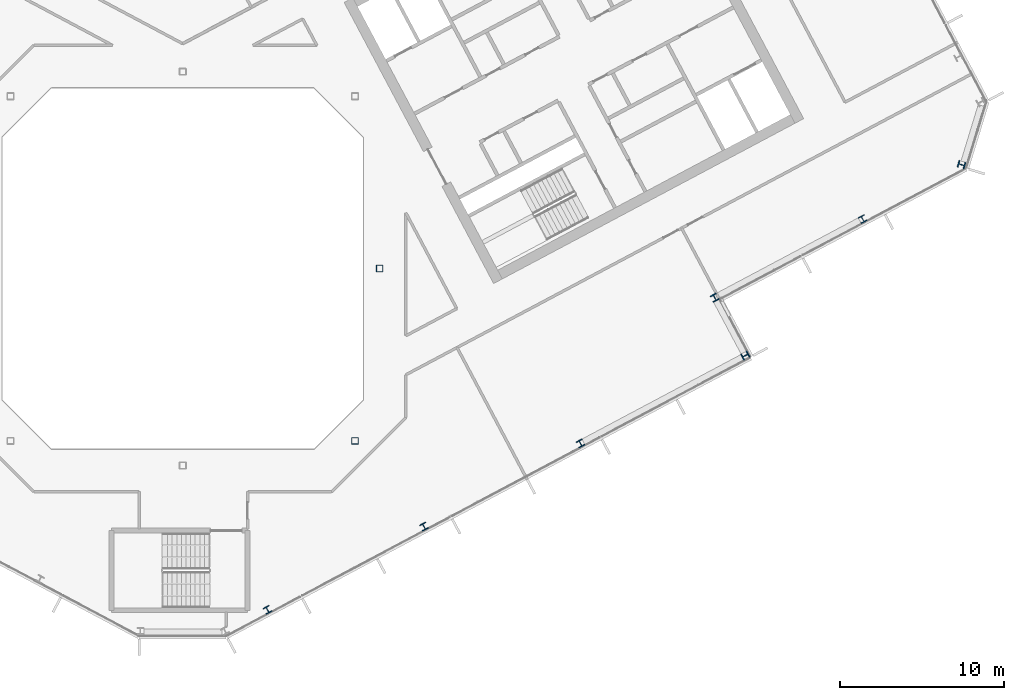
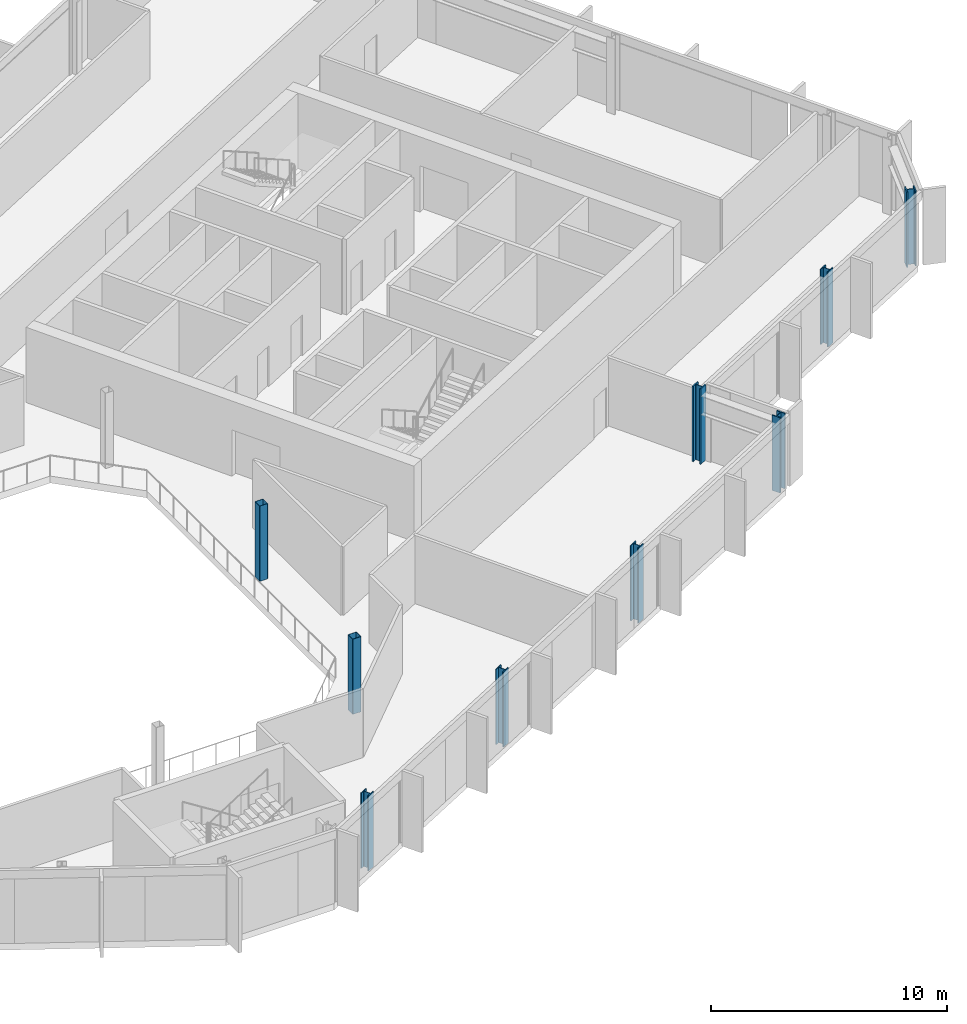
# One storey, part 5 of 26: 9 columns.
"""IFC4 building model written with IfcOpenShell, lengths in metres."""

from ifc_helpers import new_model, si_unit, direction, frame, origin, origin_2d, place, context, subcontext, project, spatial, hollow_rectangle, i_section, extrude, material, material_profile, profile_set, type_object, element, save


model = new_model("IFC4")

# Units and contexts
model_context = context("Model", 3, precision=1e-05, world=origin(), true_north=direction((0.0, 1.0)))
body_context = subcontext(model_context, "Body", "Model", "MODEL_VIEW")
ifc_project = project(units=[si_unit("LENGTHUNIT", "METRE"), si_unit("AREAUNIT", "SQUARE_METRE"), si_unit("VOLUMEUNIT", "CUBIC_METRE"), si_unit("PLANEANGLEUNIT", "RADIAN"), si_unit("MASSUNIT", "GRAM", prefix="KILO")], contexts=[model_context])

# Site, building, storey
site_placement = place(None, origin())
site = spatial("IfcSite", under=ifc_project, at=site_placement, CompositionType="ELEMENT")
building_placement = place(site_placement, origin())
building = spatial("IfcBuilding", under=site, at=building_placement, Name="Cormorant Relay Tower", CompositionType="ELEMENT")
storey_placement = place(building_placement, frame((0.0, 0.0, 220.800048828125)))
storey = spatial("IfcBuildingStorey", under=building, at=storey_placement, Name="L48", CompositionType="ELEMENT", Elevation=220.800048828125)

# Columns
ifc_material_1 = material(Name="Steel ASTM A500 Grade C (Fy 345 MPa)", Category="steel")
ifc_material_profile_1 = material_profile(ifc_material_1, hollow_rectangle(XDim=0.406494140625, YDim=0.406494140625, WallThickness=0.0146484375, InnerFilletRadius=0.00732421875, OuterFilletRadius=0.022216796875, at=origin_2d()), Name="HSS406x406x15")
ifc_profile_set_1 = profile_set([ifc_material_profile_1], Name="Steel ASTM A500 Grade C (Fy 345 MPa)")
column_type_1 = type_object("IfcColumnType", Name="Column HSS406x406x15", PredefinedType="COLUMN", material=ifc_profile_set_1)
for number, where, z_axis, x_axis, name in (
    (1, (10.5, -10.5, 0.0), (0.0, 0.0, 1.0), (1.0, 0.0, 0.0), "Column L48-010"),
    (2, (12.0, 0.0, 0.0), (0.0, 0.0, 1.0), (1.0, 0.0, 0.0), "Column L48-016"),
):
    element("IfcColumn", number, at=place(storey_placement, frame(where, z_axis=z_axis, x_axis=x_axis)), inside=storey, type_object=column_type_1, Name=name, PredefinedType="COLUMN", context=body_context, shape_type="SweptSolid", body=[
        extrude(hollow_rectangle(XDim=0.406494140625, YDim=0.406494140625, WallThickness=0.0146484375, InnerFilletRadius=0.00732421875, OuterFilletRadius=0.022216796875, at=origin_2d()), origin(), (0.0, 0.0, 1.0), 3.89990234375),
    ])
ifc_material_2 = material(Name="Steel ASTM A992 (Fy 345 MPa)", Category="steel")
ifc_material_profile_2 = material_profile(ifc_material_2, i_section(OverallWidth=0.40380859375, OverallDepth=0.406494140625, WebThickness=0.027099609375, FlangeThickness=0.043701171875, FilletRadius=0.01513671875, at=origin_2d()), Name="W360x347")
ifc_profile_set_2 = profile_set([ifc_material_profile_2], Name="Steel ASTM A992 (Fy 345 MPa)")
column_type_2 = type_object("IfcColumnType", Name="Column W360x347", PredefinedType="COLUMN", material=ifc_profile_set_2)
for number, where, z_axis, x_axis, name in (
    (3, (5.1689453125, -20.798095703125, 0.0), (0.0, 0.0, 1.0), (0.882947592859, 0.469471562786, 0.0), "Column L48-003"),
    (4, (14.705078125, -15.72705078125, 0.0), (0.0, 0.0, 1.0), (0.882947592859, 0.469471562786, 0.0), "Column L48-005"),
    (5, (24.240966796875, -10.656982421875, 0.0), (0.0, 0.0, 1.0), (0.882947592859, 0.469471562786, 0.0), "Column L48-008"),
    (6, (41.43408203125, 3.014892578125, 0.0), (0.0, 0.0, 1.0), (0.882947592859, 0.469471562786, 0.0), "Column L48-019"),
):
    element("IfcColumn", number, at=place(storey_placement, frame(where, z_axis=z_axis, x_axis=x_axis)), inside=storey, type_object=column_type_2, Name=name, PredefinedType="COLUMN", context=body_context, shape_type="SweptSolid", body=[
        extrude(i_section(OverallWidth=0.40380859375, OverallDepth=0.406494140625, WebThickness=0.027099609375, FlangeThickness=0.043701171875, FilletRadius=0.01513671875, at=origin_2d()), origin(), (0.0, 0.0, 1.0), 3.89990234375),
    ])
ifc_material_3 = material(Name="Steel ASTM A992 (Fy 345 MPa)", Category="steel")
ifc_material_profile_3 = material_profile(ifc_material_3, i_section(OverallWidth=0.41162109375, OverallDepth=0.434326171875, WebThickness=0.035888671875, FlangeThickness=0.057373046875, FilletRadius=0.01513671875, at=origin_2d()), Name="W360x463")
ifc_profile_set_3 = profile_set([ifc_material_profile_3], Name="Steel ASTM A992 (Fy 345 MPa)")
column_type_3 = type_object("IfcColumnType", Name="Column W360x463", PredefinedType="COLUMN", material=ifc_profile_set_3)
for number, where, z_axis, x_axis, name in (
    (7, (34.284912109375, -5.305908203125, 0.0), (0.0, 0.0, 1.0), (-0.469471562786, 0.882947592859, 0.0), "Column L48-012"),
    (8, (32.4169921875, -1.777099609375, 0.0), (0.0, 0.0, 1.0), (0.882947592859, 0.469471562786, 0.0), "Column L48-014"),
    (9, (47.458984375, 6.325927734375, 0.0), (0.0, 0.0, 1.0), (0.292371704723, 0.956304755963, 0.0), "Column L48-020"),
):
    element("IfcColumn", number, at=place(storey_placement, frame(where, z_axis=z_axis, x_axis=x_axis)), inside=storey, type_object=column_type_3, Name=name, PredefinedType="COLUMN", context=body_context, shape_type="SweptSolid", body=[
        extrude(i_section(OverallWidth=0.41162109375, OverallDepth=0.434326171875, WebThickness=0.035888671875, FlangeThickness=0.057373046875, FilletRadius=0.01513671875, at=origin_2d()), origin(), (0.0, 0.0, 1.0), 3.89990234375),
    ])

save(model, "model.ifc")
